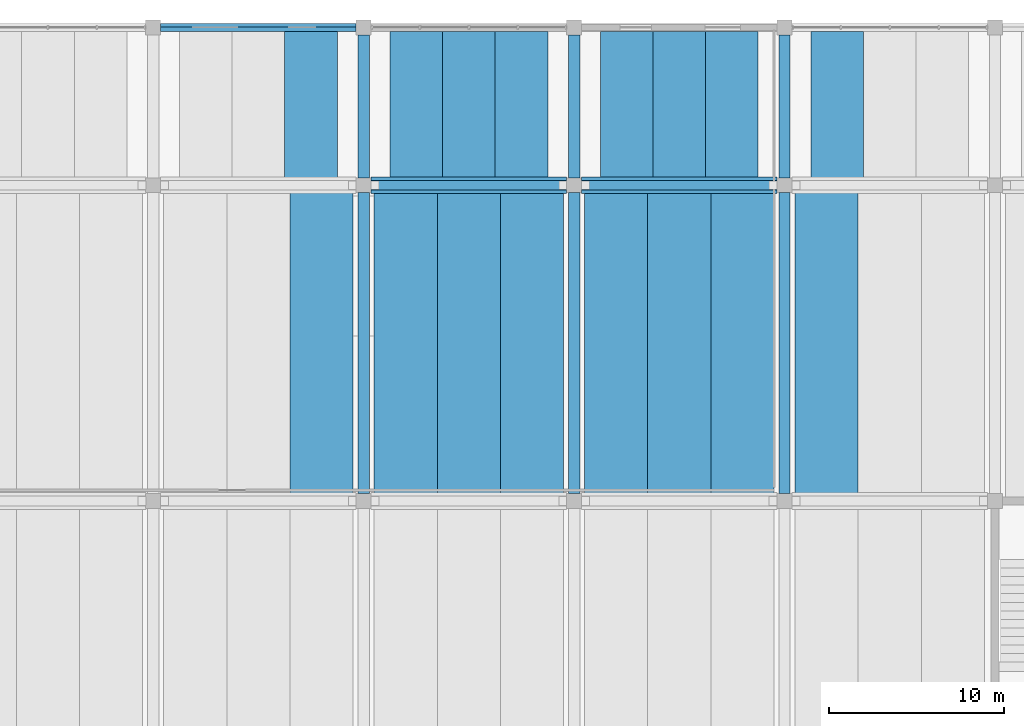
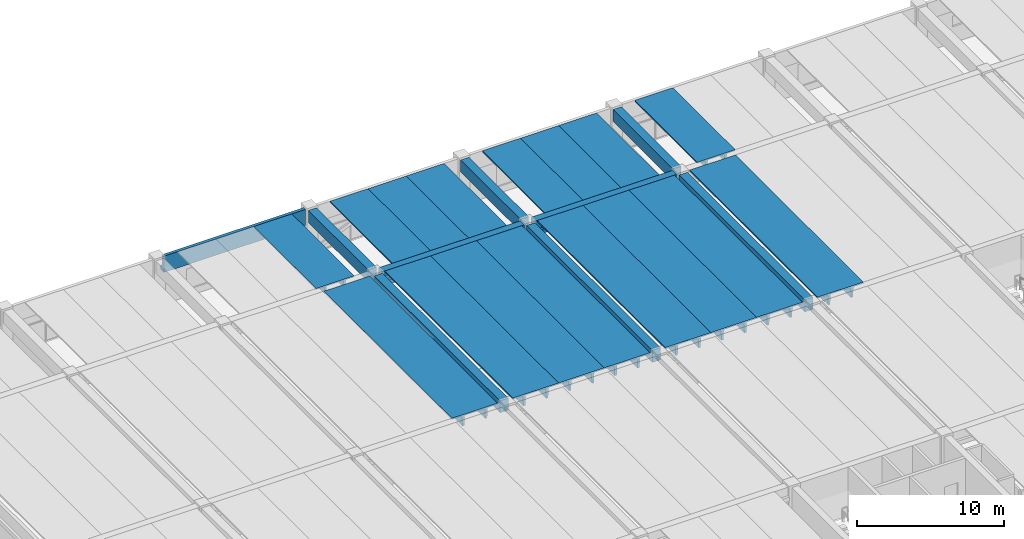
# One storey, part 15 of 50: 25 beams.
"""IFC4 building model written with IfcOpenShell, lengths in metres."""

from ifc_helpers import new_model, si_unit, direction, frame, origin, origin_2d, place, context, subcontext, project, spatial, polyline, rectangle, outline, extrude, material, material_profile, profile_set, type_object, element, save


model = new_model("IFC4")

# Units and contexts
model_context = context("Model", 3, precision=1e-05, world=origin(), true_north=direction((0.0, 1.0)))
body_context = subcontext(model_context, "Body", "Model", "MODEL_VIEW")
ifc_project = project(units=[si_unit("LENGTHUNIT", "METRE"), si_unit("AREAUNIT", "SQUARE_METRE"), si_unit("VOLUMEUNIT", "CUBIC_METRE"), si_unit("PLANEANGLEUNIT", "RADIAN"), si_unit("MASSUNIT", "GRAM", prefix="KILO")], contexts=[model_context])

# Site, building, storey
site_placement = place(None, origin())
site = spatial("IfcSite", under=ifc_project, at=site_placement, CompositionType="ELEMENT")
building_placement = place(site_placement, origin())
building = spatial("IfcBuilding", under=site, at=building_placement, Name="Girod Span Mobility Hub", CompositionType="ELEMENT")
storey_placement = place(building_placement, frame((0.0, 0.0, 5.39990234375)))
storey = spatial("IfcBuildingStorey", under=building, at=storey_placement, Name="L01", CompositionType="ELEMENT", Elevation=5.39990234375)

# Beams
ifc_material_1 = material(Name="Concrete C50/60", Category="concrete")
ifc_material_profile_1 = material_profile(ifc_material_1, outline(polyline([(-1.5, 0.35009765625), (-1.5, 0.2548828125), (-0.840087890625, 0.2548828125), (-0.81494140625, -0.35009765625), (-0.68505859375, -0.35009765625), (-0.659912109375, 0.2548828125), (0.659912109375, 0.2548828125), (0.68505859375, -0.35009765625), (0.81494140625, -0.35009765625), (0.840087890625, 0.2548828125), (1.5, 0.2548828125), (1.5, 0.35009765625), (-1.5, 0.35009765625)])), Name="DT-3000X700")
ifc_profile_set_1 = profile_set([ifc_material_profile_1], Name="Concrete C50/60")
beam_type_1 = type_object("IfcBeamType", Name="BM-DT-3000X700", PredefinedType="JOIST", material=ifc_profile_set_1)
for number, where, z_axis, x_axis, name in (
    (1, (33.0, 105.27197265625, 3.690185546875), (0.0, 1.0, 0.0), (-1.0, 0.0, 0.0), "Double-Tee Deck 3/H-3 L01"),
    (2, (39.0, 105.27197265625, 3.690185546875), (0.0, 1.0, 0.0), (-1.0, 0.0, 0.0), "Double-Tee Deck 4/H-1 L01"),
    (3, (42.0, 105.27197265625, 3.690185546875), (0.0, 1.0, 0.0), (-1.0, 0.0, 0.0), "Double-Tee Deck 4/H-2 L01"),
    (4, (45.0, 105.27197265625, 3.690185546875), (0.0, 1.0, 0.0), (-1.0, 0.0, 0.0), "Double-Tee Deck 4/H-3 L01"),
    (5, (51.0, 105.27197265625, 3.690185546875), (0.0, 1.0, 0.0), (-1.0, 0.0, 0.0), "Double-Tee Deck 5/H-1 L01"),
    (6, (54.0, 105.27197265625, 3.690185546875), (0.0, 1.0, 0.0), (-1.0, 0.0, 0.0), "Double-Tee Deck 5/H-2 L01"),
    (7, (57.0, 105.27197265625, 3.690185546875), (0.0, 1.0, 0.0), (-1.0, 0.0, 0.0), "Double-Tee Deck 5/H-3 L01"),
    (8, (63.0, 105.27197265625, 3.690185546875), (0.0, 1.0, 0.0), (-1.0, 0.0, 0.0), "Double-Tee Deck 6/H-1 L01"),
):
    element("IfcBeam", number, at=place(storey_placement, frame(where, z_axis=z_axis, x_axis=x_axis)), inside=storey, type_object=beam_type_1, Name=name, PredefinedType="JOIST", context=body_context, shape_type="SweptSolid", body=[
        extrude(outline(polyline([(-1.5, 0.35009765625), (-1.5, 0.2548828125), (-0.840087890625, 0.2548828125), (-0.81494140625, -0.35009765625), (-0.68505859375, -0.35009765625), (-0.659912109375, 0.2548828125), (0.659912109375, 0.2548828125), (0.68505859375, -0.35009765625), (0.81494140625, -0.35009765625), (0.840087890625, 0.2548828125), (1.5, 0.2548828125), (1.5, 0.35009765625), (-1.5, 0.35009765625)])), origin(), (0.0, 0.0, 1.0), 8.506103515625),
    ])
ifc_material_2 = material(Name="Concrete C50/60", Category="concrete")
ifc_material_profile_2 = material_profile(ifc_material_2, outline(polyline([(-1.800048828125, 0.47509765625), (-1.800048828125, 0.364990234375), (-1.010009765625, 0.364990234375), (-0.97509765625, -0.47509765625), (-0.824951171875, -0.47509765625), (-0.7900390625, 0.364990234375), (0.7900390625, 0.364990234375), (0.824951171875, -0.47509765625), (0.97509765625, -0.47509765625), (1.010009765625, 0.364990234375), (1.800048828125, 0.364990234375), (1.800048828125, 0.47509765625), (-1.800048828125, 0.47509765625)])), Name="DT-3600X950")
ifc_profile_set_2 = profile_set([ifc_material_profile_2], Name="Concrete C50/60")
beam_type_2 = type_object("IfcBeamType", Name="BM-DT-3600X950", PredefinedType="JOIST", material=ifc_profile_set_2)
for number, where, z_axis, x_axis, name in (
    (9, (33.60009765625, 87.27197265625, 3.565185546875), (0.0, 1.0, 0.0), (-1.0, 0.0, 0.0), "Double-Tee Deck 3/G-3 L01"),
    (10, (38.39990234375, 87.27197265625, 3.565185546875), (0.0, 1.0, 0.0), (-1.0, 0.0, 0.0), "Double-Tee Deck 4/G-1 L01"),
    (11, (42.0, 87.27197265625, 3.565185546875), (0.0, 1.0, 0.0), (-1.0, 0.0, 0.0), "Double-Tee Deck 4/G-2 L01"),
    (12, (45.60009765625, 87.27197265625, 3.565185546875), (0.0, 1.0, 0.0), (-1.0, 0.0, 0.0), "Double-Tee Deck 4/G-3 L01"),
    (13, (50.39990234375, 87.27197265625, 3.565185546875), (0.0, 1.0, 0.0), (-1.0, 0.0, 0.0), "Double-Tee Deck 5/G-1 L01"),
    (14, (54.0, 87.27197265625, 3.565185546875), (0.0, 1.0, 0.0), (-1.0, 0.0, 0.0), "Double-Tee Deck 5/G-2 L01"),
    (15, (57.60009765625, 87.27197265625, 3.565185546875), (0.0, 1.0, 0.0), (-1.0, 0.0, 0.0), "Double-Tee Deck 5/G-3 L01"),
    (16, (62.39990234375, 87.27197265625, 3.565185546875), (0.0, 1.0, 0.0), (-1.0, 0.0, 0.0), "Double-Tee Deck 6/G-1 L01"),
):
    element("IfcBeam", number, at=place(storey_placement, frame(where, z_axis=z_axis, x_axis=x_axis)), inside=storey, type_object=beam_type_2, Name=name, PredefinedType="JOIST", context=body_context, shape_type="SweptSolid", body=[
        extrude(outline(polyline([(-1.800048828125, 0.47509765625), (-1.800048828125, 0.364990234375), (-1.010009765625, 0.364990234375), (-0.97509765625, -0.47509765625), (-0.824951171875, -0.47509765625), (-0.7900390625, 0.364990234375), (0.7900390625, 0.364990234375), (0.824951171875, -0.47509765625), (0.97509765625, -0.47509765625), (1.010009765625, 0.364990234375), (1.800048828125, 0.364990234375), (1.800048828125, 0.47509765625), (-1.800048828125, 0.47509765625)])), origin(), (0.0, 0.0, 1.0), 17.4560546875),
    ])
ifc_material_3 = material(Name="Concrete C50/60", Category="concrete")
ifc_material_profile_3 = material_profile(ifc_material_3, outline(polyline([(-0.47509765625, -0.52490234375), (0.47509765625, -0.52490234375), (0.47509765625, -0.175048828125), (0.27490234375, -0.175048828125), (0.27490234375, 0.52490234375), (-0.27490234375, 0.52490234375), (-0.27490234375, -0.175048828125), (-0.47509765625, -0.175048828125), (-0.47509765625, -0.52490234375)])), Name="IT-950X1050")
ifc_profile_set_3 = profile_set([ifc_material_profile_3], Name="Concrete C50/60")
beam_type_3 = type_object("IfcBeamType", Name="BM-IT-950X1050", PredefinedType="T_BEAM", material=ifc_profile_set_3)
for number, where, z_axis, x_axis, name in (
    (17, (36.422119140625, 105.0, 3.51513671875), (1.0, 0.0, 0.0), (0.0, 1.0, 0.0), "Girder 4-5/H L01"),
    (18, (48.422119140625, 105.0, 3.51513671875), (1.0, 0.0, 0.0), (0.0, 1.0, 0.0), "Girder 5-6/H L01"),
):
    element("IfcBeam", number, at=place(storey_placement, frame(where, z_axis=z_axis, x_axis=x_axis)), inside=storey, type_object=beam_type_3, Name=name, PredefinedType="T_BEAM", context=body_context, shape_type="SweptSolid", body=[
        extrude(outline(polyline([(-0.47509765625, -0.52490234375), (0.47509765625, -0.52490234375), (0.47509765625, -0.175048828125), (0.27490234375, -0.175048828125), (0.27490234375, 0.52490234375), (-0.27490234375, 0.52490234375), (-0.27490234375, -0.175048828125), (-0.47509765625, -0.175048828125), (-0.47509765625, -0.52490234375)])), origin(), (0.0, 0.0, 1.0), 11.15576171875),
    ])
ifc_material_4 = material(Name="Concrete C40/50", Category="concrete")
ifc_material_profile_4 = material_profile(ifc_material_4, outline(polyline([(-0.22509765625, -0.675048828125), (0.22509765625, -0.675048828125), (0.22509765625, -0.324951171875), (0.02490234375, -0.324951171875), (0.02490234375, 0.675048828125), (-0.22509765625, 0.675048828125), (-0.22509765625, -0.675048828125)])), Name="SP-450X1350")
ifc_profile_set_4 = profile_set([ifc_material_profile_4], Name="Concrete C40/50")
beam_type_4 = type_object("IfcBeamType", Name="BM-SP-450X1350", PredefinedType="SPANDREL", material=ifc_profile_set_4)
beam_1_placement = place(storey_placement, frame((24.422119140625, 114.0, 3.364990234375), z_axis=(1.0, 0.0, 0.0), x_axis=(0.0, 1.0, 0.0)))
element("IfcBeam", 19, at=beam_1_placement, inside=storey, type_object=beam_type_4, Name="Girder 3-4/J L01", PredefinedType="SPANDREL", context=body_context, shape_type="SweptSolid", body=[
    extrude(outline(polyline([(-0.22509765625, -0.675048828125), (0.22509765625, -0.675048828125), (0.22509765625, -0.324951171875), (0.02490234375, -0.324951171875), (0.02490234375, 0.675048828125), (-0.22509765625, 0.675048828125), (-0.22509765625, -0.675048828125)])), origin(), (0.0, 0.0, 1.0), 11.15576171875),
])
ifc_material_5 = material(Name="Concrete C40/50", Category="concrete")
ifc_material_profile_5 = material_profile(ifc_material_5, rectangle(XDim=0.64990234375, YDim=1.0, at=origin_2d()), Name="TG-650X1000")
ifc_profile_set_5 = profile_set([ifc_material_profile_5], Name="Concrete C40/50")
beam_type_5 = type_object("IfcBeamType", Name="BM-TG-650X1000", PredefinedType="T_BEAM", material=ifc_profile_set_5)
beam_2_placement = place(storey_placement, frame((36.0, 87.422119140625, 3.5400390625), z_axis=(0.0, 1.0, 0.0), x_axis=(-1.0, 0.0, 0.0)))
element("IfcBeam", 20, at=beam_2_placement, inside=storey, type_object=beam_type_5, Name="Tie Girder 4/G-H L01", PredefinedType="T_BEAM", context=body_context, shape_type="SweptSolid", body=[
    extrude(rectangle(XDim=0.64990234375, YDim=1.0, at=origin_2d()), origin(), (0.0, 0.0, 1.0), 17.15576171875),
])
beam_3_placement = place(storey_placement, frame((36.0, 105.422119140625, 3.5400390625), z_axis=(0.0, 1.0, 0.0), x_axis=(-1.0, 0.0, 0.0)))
element("IfcBeam", 21, at=beam_3_placement, inside=storey, type_object=beam_type_5, Name="Tie Girder 4/H-J L01", PredefinedType="T_BEAM", context=body_context, shape_type="SweptSolid", body=[
    extrude(rectangle(XDim=0.64990234375, YDim=1.0, at=origin_2d()), origin(), (0.0, 0.0, 1.0), 8.15576171875),
])
beam_4_placement = place(storey_placement, frame((48.0, 87.422119140625, 3.5400390625), z_axis=(0.0, 1.0, 0.0), x_axis=(-1.0, 0.0, 0.0)))
element("IfcBeam", 22, at=beam_4_placement, inside=storey, type_object=beam_type_5, Name="Tie Girder 5/G-H L01", PredefinedType="T_BEAM", context=body_context, shape_type="SweptSolid", body=[
    extrude(rectangle(XDim=0.64990234375, YDim=1.0, at=origin_2d()), origin(), (0.0, 0.0, 1.0), 17.15576171875),
])
beam_5_placement = place(storey_placement, frame((48.0, 105.422119140625, 3.5400390625), z_axis=(0.0, 1.0, 0.0), x_axis=(-1.0, 0.0, 0.0)))
element("IfcBeam", 23, at=beam_5_placement, inside=storey, type_object=beam_type_5, Name="Tie Girder 5/H-J L01", PredefinedType="T_BEAM", context=body_context, shape_type="SweptSolid", body=[
    extrude(rectangle(XDim=0.64990234375, YDim=1.0, at=origin_2d()), origin(), (0.0, 0.0, 1.0), 8.15576171875),
])
beam_6_placement = place(storey_placement, frame((60.0, 87.422119140625, 3.5400390625), z_axis=(0.0, 1.0, 0.0), x_axis=(-1.0, 0.0, 0.0)))
element("IfcBeam", 24, at=beam_6_placement, inside=storey, type_object=beam_type_5, Name="Tie Girder 6/G-H L01", PredefinedType="T_BEAM", context=body_context, shape_type="SweptSolid", body=[
    extrude(rectangle(XDim=0.64990234375, YDim=1.0, at=origin_2d()), origin(), (0.0, 0.0, 1.0), 17.15576171875),
])
beam_7_placement = place(storey_placement, frame((60.0, 105.422119140625, 3.5400390625), z_axis=(0.0, 1.0, 0.0), x_axis=(-1.0, 0.0, 0.0)))
element("IfcBeam", 25, at=beam_7_placement, inside=storey, type_object=beam_type_5, Name="Tie Girder 6/H-J L01", PredefinedType="T_BEAM", context=body_context, shape_type="SweptSolid", body=[
    extrude(rectangle(XDim=0.64990234375, YDim=1.0, at=origin_2d()), origin(), (0.0, 0.0, 1.0), 8.15576171875),
])

save(model, "model.ifc")
